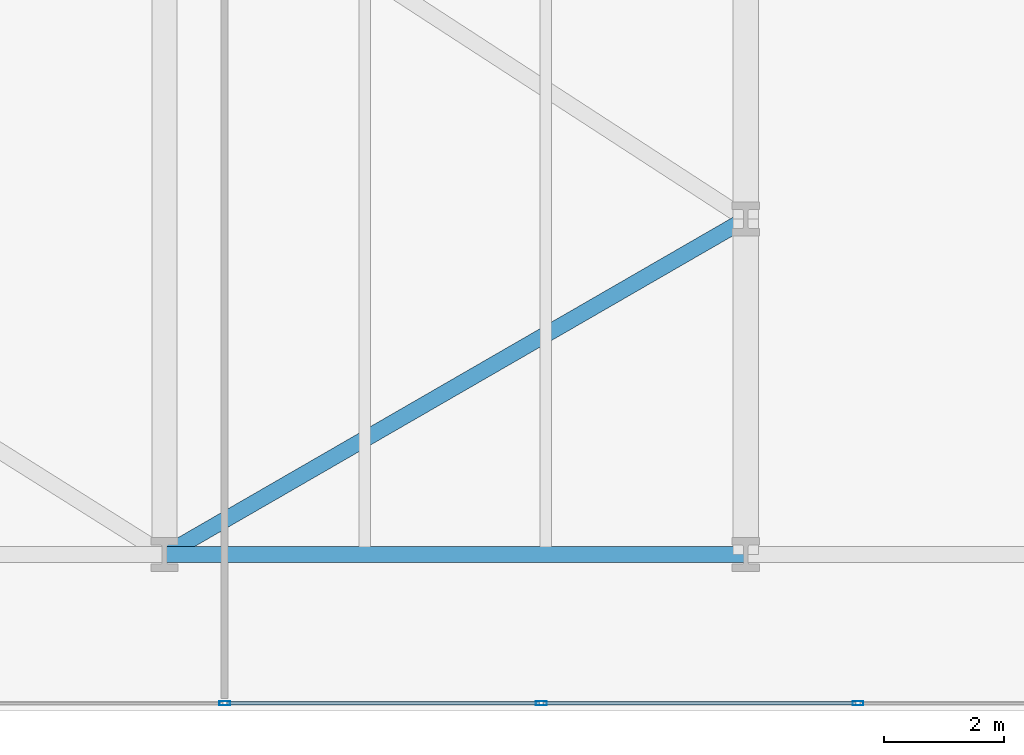
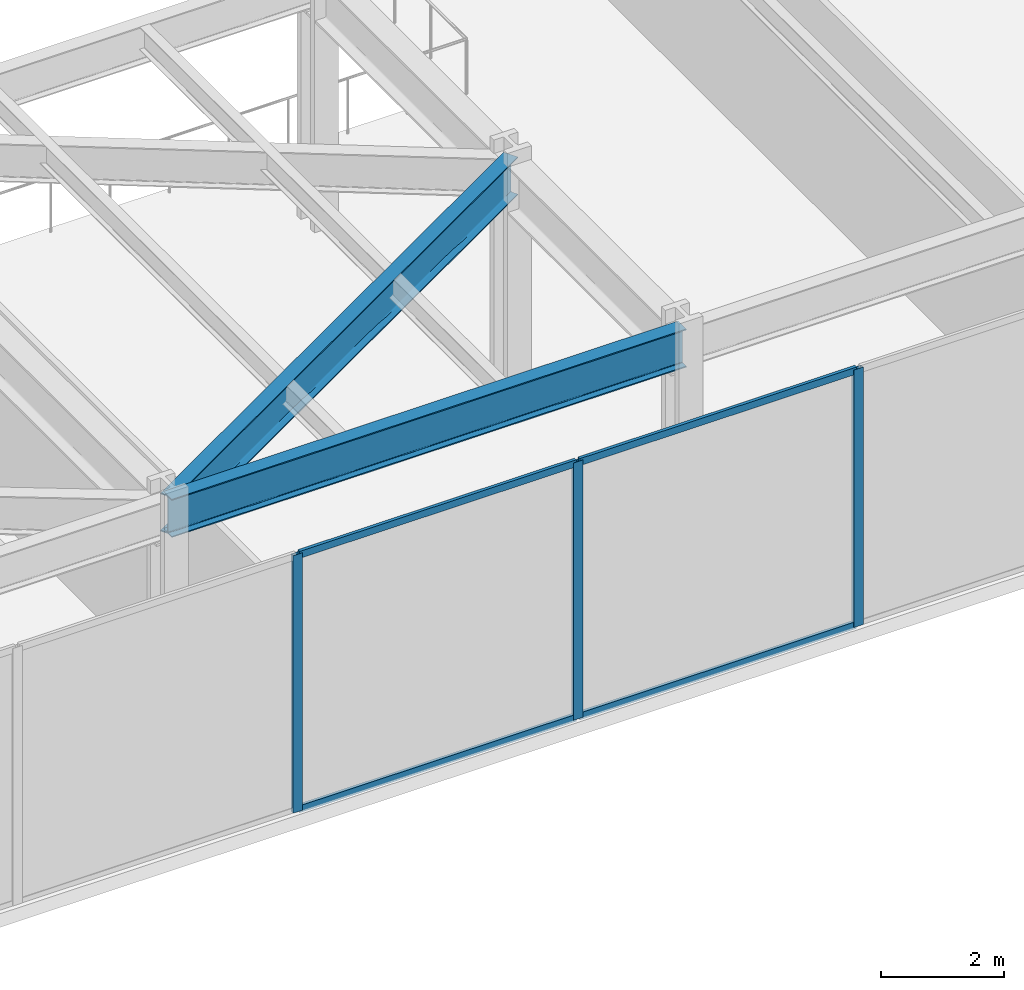
# One storey, part 6 of 29: 7 members, 2 beams, 1 element without a shape of its own.
"""IFC4 building model written with IfcOpenShell, lengths in metres."""

from ifc_helpers import new_model, si_unit, direction, frame, origin, origin_2d, place, context, subcontext, project, spatial, hollow_rectangle, i_section, extrude, material, layer, layer_set, material_profile, profile_set, type_object, element, aggregate, save


model = new_model("IFC4")

# Units and contexts
model_context = context("Model", 3, precision=1e-05, world=origin(), true_north=direction((0.0, 1.0)))
body_context = subcontext(model_context, "Body", "Model", "MODEL_VIEW")
ifc_project = project(units=[si_unit("LENGTHUNIT", "METRE"), si_unit("AREAUNIT", "SQUARE_METRE"), si_unit("VOLUMEUNIT", "CUBIC_METRE"), si_unit("PLANEANGLEUNIT", "RADIAN"), si_unit("MASSUNIT", "GRAM", prefix="KILO")], contexts=[model_context])

# Site, building, storey
site_placement = place(None, origin())
site = spatial("IfcSite", under=ifc_project, at=site_placement, CompositionType="ELEMENT")
building_placement = place(site_placement, origin())
building = spatial("IfcBuilding", under=site, at=building_placement, Name="Kravanh Interchange Tower", CompositionType="ELEMENT")
storey_placement = place(building_placement, frame((0.0, 0.0, 5.39990234375)))
storey = spatial("IfcBuildingStorey", under=building, at=storey_placement, Name="L01", CompositionType="ELEMENT", Elevation=5.39990234375)

# Curtain wall, members
ifc_material_1 = material(Name="Anodised Bronze Aluminium", Category="aluminium")
ifc_layer = layer(ifc_material_1, 0.179931640625)
ifc_layer_set = layer_set([ifc_layer], Name="Unitised Curtain Wall System CW-POD Podium Concourse")
curtain_wall_type = type_object("IfcCurtainWallType", Name="Unitised Curtain Wall System CW-POD Podium Concourse", PredefinedType="NOTDEFINED", material=ifc_layer_set)
curtain_wall_placement = place(storey_placement, origin())
curtain_wall = element("IfcCurtainWall", 1, at=curtain_wall_placement, inside=storey, type_object=curtain_wall_type, Name="L01 Unitised Curtain Wall CW-L01-04", PredefinedType="NOTDEFINED")
ifc_material_2 = material(Name="Anodised Bronze Aluminium", Category="aluminium")
ifc_material_profile_1 = material_profile(ifc_material_2, hollow_rectangle(XDim=0.070068359375, YDim=0.179931640625, WallThickness=0.00390625, at=origin_2d()), Name="ALU70X180X4")
ifc_profile_set_1 = profile_set([ifc_material_profile_1], Name="Anodised Bronze Aluminium")
member_type_1 = type_object("IfcMemberType", Name="Curtain Wall Mullion ALU70X180X4 Bronze", PredefinedType="MULLION", material=ifc_profile_set_1)
member_1_placement = place(storey_placement, frame((29.072998046875, 0.1201171875, 0.0), z_axis=(0.0, 0.0, 1.0), x_axis=(0.0, -1.0, 0.0)))
member_1 = element("IfcMember", 2, at=member_1_placement, type_object=member_type_1, Name="CW-POD mullion 9", PredefinedType="MULLION", context=body_context, shape_type="SweptSolid", body=[
    extrude(hollow_rectangle(XDim=0.070068359375, YDim=0.179931640625, WallThickness=0.00390625, at=origin_2d()), origin(), (0.0, 0.0, 1.0), 5.130126953125),
])
member_2_placement = place(storey_placement, frame((23.788330078125, 0.1201171875, 0.0), z_axis=(0.0, 0.0, 1.0), x_axis=(0.0, -1.0, 0.0)))
member_2 = element("IfcMember", 3, at=member_2_placement, type_object=member_type_1, Name="CW-POD mullion 10", PredefinedType="MULLION", context=body_context, shape_type="SweptSolid", body=[
    extrude(hollow_rectangle(XDim=0.070068359375, YDim=0.179931640625, WallThickness=0.00390625, at=origin_2d()), origin(), (0.0, 0.0, 1.0), 5.130126953125),
])
member_3_placement = place(storey_placement, frame((18.503662109375, 0.1201171875, 0.0), z_axis=(0.0, 0.0, 1.0), x_axis=(0.0, -1.0, 0.0)))
member_3 = element("IfcMember", 4, at=member_3_placement, type_object=member_type_1, Name="CW-POD mullion 11", PredefinedType="MULLION", context=body_context, shape_type="SweptSolid", body=[
    extrude(hollow_rectangle(XDim=0.070068359375, YDim=0.179931640625, WallThickness=0.00390625, at=origin_2d()), origin(), (0.0, 0.0, 1.0), 5.130126953125),
])
ifc_material_3 = material(Name="Anodised Bronze Aluminium", Category="aluminium")
ifc_material_profile_2 = material_profile(ifc_material_3, hollow_rectangle(XDim=0.06005859375, YDim=0.139892578125, WallThickness=0.00390625, at=origin_2d()), Name="ALU60X140X4")
ifc_profile_set_2 = profile_set([ifc_material_profile_2], Name="Anodised Bronze Aluminium")
member_type_2 = type_object("IfcMemberType", Name="Curtain Wall Transom ALU60X140X4 Bronze", PredefinedType="USERDEFINED", material=ifc_profile_set_2)
member_4_placement = place(storey_placement, frame((29.0380859375, 0.1201171875, 0.030029296875), z_axis=(-1.0, 0.0, 0.0), x_axis=(0.0, -1.0, 0.0)))
member_4 = element("IfcMember", 5, at=member_4_placement, type_object=member_type_2, Name="CW-POD transom 9.1", ObjectType="TRANSOM", PredefinedType="USERDEFINED", context=body_context, shape_type="SweptSolid", body=[
    extrude(hollow_rectangle(XDim=0.06005859375, YDim=0.139892578125, WallThickness=0.00390625, at=origin_2d()), origin(), (0.0, 0.0, 1.0), 5.21484375),
])
member_5_placement = place(storey_placement, frame((29.0380859375, 0.1201171875, 5.10009765625), z_axis=(-1.0, 0.0, 0.0), x_axis=(0.0, -1.0, 0.0)))
member_5 = element("IfcMember", 6, at=member_5_placement, type_object=member_type_2, Name="CW-POD transom 9.2", ObjectType="TRANSOM", PredefinedType="USERDEFINED", context=body_context, shape_type="SweptSolid", body=[
    extrude(hollow_rectangle(XDim=0.06005859375, YDim=0.139892578125, WallThickness=0.00390625, at=origin_2d()), origin(), (0.0, 0.0, 1.0), 5.21484375),
])
member_6_placement = place(storey_placement, frame((23.75341796875, 0.1201171875, 0.030029296875), z_axis=(-1.0, 0.0, 0.0), x_axis=(0.0, -1.0, 0.0)))
member_6 = element("IfcMember", 7, at=member_6_placement, type_object=member_type_2, Name="CW-POD transom 10.1", ObjectType="TRANSOM", PredefinedType="USERDEFINED", context=body_context, shape_type="SweptSolid", body=[
    extrude(hollow_rectangle(XDim=0.06005859375, YDim=0.139892578125, WallThickness=0.00390625, at=origin_2d()), origin(), (0.0, 0.0, 1.0), 5.21484375),
])
member_7_placement = place(storey_placement, frame((23.75341796875, 0.1201171875, 5.10009765625), z_axis=(-1.0, 0.0, 0.0), x_axis=(0.0, -1.0, 0.0)))
member_7 = element("IfcMember", 8, at=member_7_placement, type_object=member_type_2, Name="CW-POD transom 10.2", ObjectType="TRANSOM", PredefinedType="USERDEFINED", context=body_context, shape_type="SweptSolid", body=[
    extrude(hollow_rectangle(XDim=0.06005859375, YDim=0.139892578125, WallThickness=0.00390625, at=origin_2d()), origin(), (0.0, 0.0, 1.0), 5.21484375),
])
aggregate(curtain_wall, [member_1, member_2, member_3, member_4, member_5, member_6, member_7])

# Beams
ifc_material_4 = material(Name="Structural Steel S355", Category="steel")
ifc_material_profile_3 = material_profile(ifc_material_4, i_section(OverallWidth=0.26708984375, OverallDepth=0.761962890625, WebThickness=0.014404296875, FlangeThickness=0.021484375, FilletRadius=0.02490234375, at=origin_2d()), Name="W30X116")
ifc_profile_set_3 = profile_set([ifc_material_profile_3], Name="Structural Steel S355")
beam_type = type_object("IfcBeamType", Name="Floor Spandrel W30X116 Structural Steel S355", PredefinedType="SPANDREL", material=ifc_profile_set_3)
beam_1_placement = place(storey_placement, frame((17.5, 2.60009765625, 4.7490234375), z_axis=(1.0, 0.0, 0.0), x_axis=(0.0, 1.0, 0.0)))
element("IfcBeam", 9, at=beam_1_placement, inside=storey, type_object=beam_type, Name="L01 Perimeter Spandrel 4", PredefinedType="SPANDREL", context=body_context, shape_type="SweptSolid", body=[
    extrude(i_section(OverallWidth=0.26708984375, OverallDepth=0.761962890625, WebThickness=0.014404296875, FlangeThickness=0.021484375, FilletRadius=0.02490234375, at=origin_2d()), origin(), (0.0, 0.0, 1.0), 9.699951171875),
])
beam_2_placement = place(storey_placement, frame((17.5, 2.60009765625, 4.7490234375), z_axis=(0.866041482502, 0.499972149811, 0.0), x_axis=(-0.499972149811, 0.866041482502, 0.0)))
element("IfcBeam", 10, at=beam_2_placement, inside=storey, type_object=beam_type, Name="L01 Perimeter Spandrel 6", PredefinedType="SPANDREL", context=body_context, shape_type="SweptSolid", body=[
    extrude(i_section(OverallWidth=0.26708984375, OverallDepth=0.761962890625, WebThickness=0.014404296875, FlangeThickness=0.021484375, FilletRadius=0.02490234375, at=origin_2d()), origin(), (0.0, 0.0, 1.0), 11.200439453125),
])

save(model, "model.ifc")
